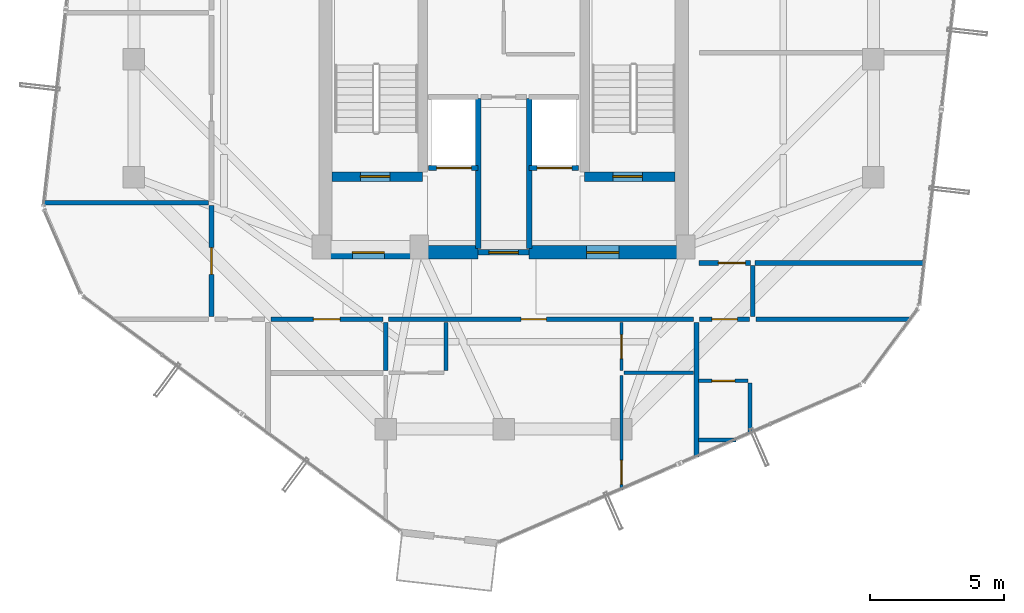
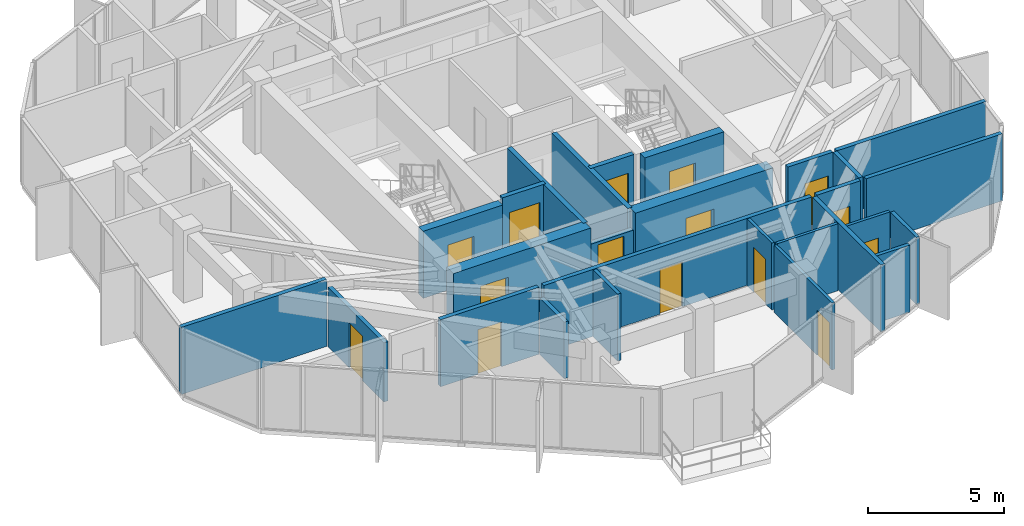
# One storey, part 26 of 30: 27 walls, 15 doors, 15 openings.
"""IFC4 building model written with IfcOpenShell, lengths in metres."""

from ifc_helpers import new_model, si_unit, direction, frame, frame_2d, origin, place, context, subcontext, project, spatial, rectangle, extrude, source, transform, mapped, material, layer, layer_set, type_object, element, fill, save


model = new_model("IFC4")

# Units and contexts
model_context = context("Model", 3, precision=1e-05, world=origin(), true_north=direction((0.0, 1.0)))
body_context = subcontext(model_context, "Body", "Model", "MODEL_VIEW")
ifc_project = project(units=[si_unit("LENGTHUNIT", "METRE"), si_unit("AREAUNIT", "SQUARE_METRE"), si_unit("VOLUMEUNIT", "CUBIC_METRE"), si_unit("PLANEANGLEUNIT", "RADIAN"), si_unit("MASSUNIT", "GRAM", prefix="KILO")], contexts=[model_context])

# Site, building, storey
site_placement = place(None, origin())
site = spatial("IfcSite", under=ifc_project, at=site_placement, CompositionType="ELEMENT")
building_placement = place(site_placement, origin())
building = spatial("IfcBuilding", under=site, at=building_placement, Name="Veraguas Prism Commons", CompositionType="ELEMENT")
storey_placement = place(building_placement, frame((0.0, 0.0, 230.050048828125)))
storey = spatial("IfcBuildingStorey", under=building, at=storey_placement, Name="L65", CompositionType="ELEMENT", Elevation=230.050048828125)

# Wall, opening, door
ifc_material_1 = material(Name="Concrete C50/60", Category="concrete")
ifc_layer_1 = layer(ifc_material_1, 0.35009765625, Name="Core Internal Shear Wall Upper RC 350", Category="concrete")
ifc_layer_set_1 = layer_set([ifc_layer_1], Name="Concrete C50/60")
wall_type_1 = type_object("IfcWallType", Name="Core Internal Shear Wall Upper RC 350", PredefinedType="SHEAR", material=ifc_layer_set_1)
wall_1_placement = place(storey_placement, frame((17.60009765625, 19.625, 0.0), z_axis=(0.0, 0.0, 1.0), x_axis=(1.0, 0.0, 0.0)))
wall_1 = element("IfcWall", 1, at=wall_1_placement, inside=storey, type_object=wall_type_1, Name="Stair ST-01 South Shear Wall L65", PredefinedType="SHEAR", context=body_context, shape_type="SweptSolid", body=[
    extrude(rectangle(XDim=3.375, YDim=0.35009765625, at=frame_2d((1.6875, 0.0))), origin(), (0.0, 0.0, 1.0), 3.014892578125),
])
opening_1_placement = place(wall_1_placement, frame((1.050048828125, 0.0, 0.0)))
opening_1 = element("IfcOpeningElement", 2, at=opening_1_placement, cuts=wall_1, Name="Opening DR-05", PredefinedType="OPENING", context=body_context, shape_type="SweptSolid", body=[
    extrude(rectangle(XDim=1.10009765625, YDim=2.030029296875, at=frame_2d((0.550048828125, 1.01513671875))), frame((0.0, 0.18505859375, 0.0), z_axis=(0.0, -1.0, 0.0), x_axis=(1.0, 0.0, 0.0)), (0.0, 0.0, 1.0), 0.3701171875),
])
ifc_material_2 = material(Name="Steel fire-rated door assembly", Category="steel")
door_type_1 = type_object("IfcDoorType", Name="Protected Stair and Refuge Fire Door 1100x2030", OperationType="NOTDEFINED", PredefinedType="DOOR", material=ifc_material_2)
shared_shape_1 = source(origin(), body_context, "Body", "SweptSolid", [
    extrude(rectangle(XDim=1.10009765625, YDim=2.030029296875, at=frame_2d((0.550048828125, 1.01513671875))), frame((0.0, 0.02490234375, 0.0), z_axis=(0.0, -1.0, 0.0), x_axis=(1.0, 0.0, 0.0)), (0.0, 0.0, 1.0), 0.050048828125),
])
door_1_placement = place(opening_1_placement, origin())
door_1 = element("IfcDoor", 3, at=door_1_placement, inside=storey, type_object=door_type_1, Name="Stair ST-01 Enclosure Door L65", OperationType="SINGLE_SWING_LEFT", OverallHeight=2.030029296875, OverallWidth=1.10009765625, PredefinedType="DOOR", context=body_context, shape_type="MappedRepresentation", body=[
    mapped(shared_shape_1, transform((0.0, 0.0, 0.0), scale=1.0)),
])
fill(opening_1, door_1)

wall_2_placement = place(storey_placement, frame((27.02490234375, 19.625, 0.0), z_axis=(0.0, 0.0, 1.0), x_axis=(1.0, 0.0, 0.0)))
wall_2 = element("IfcWall", 4, at=wall_2_placement, inside=storey, type_object=wall_type_1, Name="Stair ST-02 South Shear Wall L65", PredefinedType="SHEAR", context=body_context, shape_type="SweptSolid", body=[
    extrude(rectangle(XDim=3.375, YDim=0.35009765625, at=frame_2d((1.6875, 0.0))), origin(), (0.0, 0.0, 1.0), 3.014892578125),
])
opening_2_placement = place(wall_2_placement, frame((1.050048828125, 0.0, 0.0)))
opening_2 = element("IfcOpeningElement", 5, at=opening_2_placement, cuts=wall_2, Name="Opening DR-05", PredefinedType="OPENING", context=body_context, shape_type="SweptSolid", body=[
    extrude(rectangle(XDim=1.10009765625, YDim=2.030029296875, at=frame_2d((0.550048828125, 1.01513671875))), frame((0.0, 0.18505859375, 0.0), z_axis=(0.0, -1.0, 0.0), x_axis=(1.0, 0.0, 0.0)), (0.0, 0.0, 1.0), 0.3701171875),
])
door_2_placement = place(opening_2_placement, origin())
door_2 = element("IfcDoor", 6, at=door_2_placement, inside=storey, type_object=door_type_1, Name="Stair ST-02 Enclosure Door L65", OperationType="SINGLE_SWING_RIGHT", OverallHeight=2.030029296875, OverallWidth=1.10009765625, PredefinedType="DOOR", context=body_context, shape_type="MappedRepresentation", body=[
    mapped(shared_shape_1, transform((0.0, 0.0, 0.0), scale=1.0)),
])
fill(opening_2, door_2)

ifc_layer_2 = layer(ifc_material_1, 0.5, Name="Core Outer Shear Wall Upper RC 500", Category="concrete")
ifc_layer_set_2 = layer_set([ifc_layer_2], Name="Concrete C50/60")
wall_type_2 = type_object("IfcWallType", Name="Core Outer Shear Wall Upper RC 500", PredefinedType="SHEAR", material=ifc_layer_set_2)
wall_3_placement = place(storey_placement, frame((17.199951171875, 16.800048828125, 0.0), z_axis=(0.0, 0.0, 1.0), x_axis=(1.0, 0.0, 0.0)))
wall_3 = element("IfcWall", 7, at=wall_3_placement, inside=storey, type_object=wall_type_2, Name="Central Core South-West Shear Wall L65", PredefinedType="SHEAR", context=body_context, shape_type="SweptSolid", body=[
    extrude(rectangle(XDim=5.85009765625, YDim=0.5, at=frame_2d((2.925048828125, 0.0))), origin(), (0.0, 0.0, 1.0), 3.014892578125),
])
opening_3_placement = place(wall_3_placement, frame((1.14990234375, 0.0, 0.0)))
opening_3 = element("IfcOpeningElement", 8, at=opening_3_placement, cuts=wall_3, Name="Opening DR-06", PredefinedType="OPENING", context=body_context, shape_type="SweptSolid", body=[
    extrude(rectangle(XDim=1.199951171875, YDim=2.030029296875, at=frame_2d((0.60009765625, 1.01513671875))), frame((0.0, 0.260009765625, 0.0), z_axis=(0.0, -1.0, 0.0), x_axis=(1.0, 0.0, 0.0)), (0.0, 0.0, 1.0), 0.52001953125),
])
door_type_2 = type_object("IfcDoorType", Name="Firefighting Lobby Smoke Door 1200x2030", OperationType="NOTDEFINED", PredefinedType="DOOR", material=ifc_material_2)
shared_shape_2 = source(origin(), body_context, "Body", "SweptSolid", [
    extrude(rectangle(XDim=1.199951171875, YDim=2.030029296875, at=frame_2d((0.60009765625, 1.01513671875))), frame((0.0, 0.02490234375, 0.0), z_axis=(0.0, -1.0, 0.0), x_axis=(1.0, 0.0, 0.0)), (0.0, 0.0, 1.0), 0.050048828125),
])
door_3_placement = place(opening_3_placement, origin())
door_3 = element("IfcDoor", 9, at=door_3_placement, inside=storey, type_object=door_type_2, Name="West FF Lobby Door L65", OperationType="SINGLE_SWING_LEFT", OverallHeight=2.030029296875, OverallWidth=1.199951171875, PredefinedType="DOOR", context=body_context, shape_type="MappedRepresentation", body=[
    mapped(shared_shape_2, transform((0.0, 0.0, 0.0), scale=1.0)),
])
fill(opening_3, door_3)

wall_4_placement = place(storey_placement, frame((24.949951171875, 16.800048828125, 0.0), z_axis=(0.0, 0.0, 1.0), x_axis=(1.0, 0.0, 0.0)))
wall_4 = element("IfcWall", 10, at=wall_4_placement, inside=storey, type_object=wall_type_2, Name="Central Core South-East Shear Wall L65", PredefinedType="SHEAR", context=body_context, shape_type="SweptSolid", body=[
    extrude(rectangle(XDim=5.85009765625, YDim=0.5, at=frame_2d((2.925048828125, 0.0))), origin(), (0.0, 0.0, 1.0), 3.014892578125),
])
opening_4_placement = place(wall_4_placement, frame((2.14990234375, 0.0, 0.0)))
opening_4 = element("IfcOpeningElement", 11, at=opening_4_placement, cuts=wall_4, Name="Opening DR-06", PredefinedType="OPENING", context=body_context, shape_type="SweptSolid", body=[
    extrude(rectangle(XDim=1.199951171875, YDim=2.030029296875, at=frame_2d((0.60009765625, 1.01513671875))), frame((0.0, 0.260009765625, 0.0), z_axis=(0.0, -1.0, 0.0), x_axis=(1.0, 0.0, 0.0)), (0.0, 0.0, 1.0), 0.52001953125),
])
door_4_placement = place(opening_4_placement, origin())
door_4 = element("IfcDoor", 12, at=door_4_placement, inside=storey, type_object=door_type_2, Name="East FF Lobby Door L65", OperationType="SINGLE_SWING_LEFT", OverallHeight=2.030029296875, OverallWidth=1.199951171875, PredefinedType="DOOR", context=body_context, shape_type="MappedRepresentation", body=[
    mapped(shared_shape_2, transform((0.0, 0.0, 0.0), scale=1.0)),
])
fill(opening_4, door_4)

# Wall
ifc_material_3 = material(Name="Autoclaved aerated masonry block 10 MPa", Category="masonry")
ifc_layer_3 = layer(ifc_material_3, 0.179931640625, Name="Corridor and Inter-Tenancy Partition 180", Category="masonry")
ifc_layer_set_3 = layer_set([ifc_layer_3], Name="Autoclaved aerated masonry block 10 MPa")
wall_type_3 = type_object("IfcWallType", Name="Corridor and Inter-Tenancy Partition 180", PredefinedType="PARTITIONING", material=ifc_layer_set_3)
wall_5_placement = place(storey_placement, frame((31.199951171875, 14.179931640625, 0.0), z_axis=(0.0, 0.0, 1.0), x_axis=(0.0, -1.0, 0.0)))
element("IfcWall", 13, at=wall_5_placement, inside=storey, type_object=wall_type_3, Name="WL-L65-PT002", PredefinedType="PARTITIONING", context=body_context, shape_type="SweptSolid", body=[
    extrude(rectangle(XDim=5.0244140625, YDim=0.179931640625, at=frame_2d((2.51220703125, 0.0))), origin(), (0.0, 0.0, 1.0), 3.014892578125),
])

# Wall, opening, door
wall_6_placement = place(storey_placement, frame((15.31005859375, 14.300048828125, 0.0), z_axis=(0.0, 0.0, 1.0), x_axis=(1.0, 0.0, 0.0)))
wall_6 = element("IfcWall", 14, at=wall_6_placement, inside=storey, type_object=wall_type_3, Name="WL-L65-PT003", PredefinedType="PARTITIONING", context=body_context, shape_type="SweptSolid", body=[
    extrude(rectangle(XDim=4.179931640625, YDim=0.179931640625, at=frame_2d((2.08984375, 0.0))), origin(), (0.0, 0.0, 1.0), 3.014892578125),
])
opening_5_placement = place(wall_6_placement, frame((1.590087890625, 0.0, 0.0)))
opening_5 = element("IfcOpeningElement", 15, at=opening_5_placement, cuts=wall_6, Name="Opening DR-13", PredefinedType="OPENING", context=body_context, shape_type="SweptSolid", body=[
    extrude(rectangle(XDim=1.0, YDim=2.010009765625, at=frame_2d((0.5, 1.0048828125))), frame((0.0, 0.099853515625, 0.0), z_axis=(0.0, -1.0, 0.0), x_axis=(1.0, 0.0, 0.0)), (0.0, 0.0, 1.0), 0.199951171875),
])
door_type_3 = type_object("IfcDoorType", Name="Core Accessible WC and Clinic Fire Door 1000x2010", OperationType="NOTDEFINED", PredefinedType="DOOR", material=ifc_material_2)
shared_shape_3 = source(origin(), body_context, "Body", "SweptSolid", [
    extrude(rectangle(XDim=1.0, YDim=2.010009765625, at=frame_2d((0.5, 1.0048828125))), frame((0.0, 0.02490234375, 0.0), z_axis=(0.0, -1.0, 0.0), x_axis=(1.0, 0.0, 0.0)), (0.0, 0.0, 1.0), 0.050048828125),
])
door_5_placement = place(opening_5_placement, origin())
door_5 = element("IfcDoor", 16, at=door_5_placement, inside=storey, type_object=door_type_3, Name="Residents Study Alcove 65A Door", OperationType="SINGLE_SWING_LEFT", OverallHeight=2.010009765625, OverallWidth=1.0, PredefinedType="DOOR", context=body_context, shape_type="MappedRepresentation", body=[
    mapped(shared_shape_3, transform((0.0, 0.0, 0.0), scale=1.0)),
])
fill(opening_5, door_5)

wall_7_placement = place(storey_placement, frame((19.7099609375, 14.300048828125, 0.0), z_axis=(0.0, 0.0, 1.0), x_axis=(1.0, 0.0, 0.0)))
wall_7 = element("IfcWall", 17, at=wall_7_placement, inside=storey, type_object=wall_type_3, Name="WL-L65-PT004", PredefinedType="PARTITIONING", context=body_context, shape_type="SweptSolid", body=[
    extrude(rectangle(XDim=11.380126953125, YDim=0.179931640625, at=frame_2d((5.68994140625, 0.0))), origin(), (0.0, 0.0, 1.0), 3.014892578125),
])
opening_6_placement = place(wall_7_placement, frame((4.93994140625, 0.0, 0.0)))
opening_6 = element("IfcOpeningElement", 18, at=opening_6_placement, cuts=wall_7, Name="Opening DR-01", PredefinedType="OPENING", context=body_context, shape_type="SweptSolid", body=[
    extrude(rectangle(XDim=0.949951171875, YDim=2.02001953125, at=frame_2d((0.47509765625, 1.010009765625))), frame((0.0, 0.099853515625, 0.0), z_axis=(0.0, -1.0, 0.0), x_axis=(1.0, 0.0, 0.0)), (0.0, 0.0, 1.0), 0.199951171875),
])
ifc_material_4 = material(Name="Anodised aluminium EN AW-6063 T6", Category="aluminium")
door_type_4 = type_object("IfcDoorType", Name="Apartment Entrance Fire Door 950x2020", OperationType="NOTDEFINED", PredefinedType="DOOR", material=ifc_material_4)
shared_shape_4 = source(origin(), body_context, "Body", "SweptSolid", [
    extrude(rectangle(XDim=0.949951171875, YDim=2.02001953125, at=frame_2d((0.47509765625, 1.010009765625))), frame((0.0, 0.02490234375, 0.0), z_axis=(0.0, -1.0, 0.0), x_axis=(1.0, 0.0, 0.0)), (0.0, 0.0, 1.0), 0.050048828125),
])
door_6_placement = place(opening_6_placement, origin())
door_6 = element("IfcDoor", 19, at=door_6_placement, inside=storey, type_object=door_type_4, Name="Flat 65A Entrance Door", OperationType="SINGLE_SWING_RIGHT", OverallHeight=2.02001953125, OverallWidth=0.949951171875, PredefinedType="DOOR", context=body_context, shape_type="MappedRepresentation", body=[
    mapped(shared_shape_4, transform((0.0, 0.0, 0.0), scale=1.0)),
])
fill(opening_6, door_6)

# Wall
wall_8_placement = place(storey_placement, frame((19.60009765625, 14.179931640625, 0.0), z_axis=(0.0, 0.0, 1.0), x_axis=(0.0, -1.0, 0.0)))
element("IfcWall", 20, at=wall_8_placement, inside=storey, type_object=wall_type_3, Name="WL-L65-PT006", PredefinedType="PARTITIONING", context=body_context, shape_type="SweptSolid", body=[
    extrude(rectangle(XDim=1.800048828125, YDim=0.179931640625, at=frame_2d((0.89990234375, 0.0))), origin(), (0.0, 0.0, 1.0), 2.54296875),
])

# Wall, opening, door
wall_9_placement = place(storey_placement, frame((13.10009765625, 14.409912109375, 0.0), z_axis=(0.0, 0.0, 1.0), x_axis=(0.0, 1.0, 0.0)))
wall_9 = element("IfcWall", 21, at=wall_9_placement, inside=storey, type_object=wall_type_3, Name="WL-L65-PT026", PredefinedType="PARTITIONING", context=body_context, shape_type="SweptSolid", body=[
    extrude(rectangle(XDim=4.129150390625, YDim=0.179931640625, at=frame_2d((2.064453125, 0.0))), origin(), (0.0, 0.0, 1.0), 2.661865234375),
])
opening_7_placement = place(wall_9_placement, frame((1.564453125, 0.0, 0.0)))
opening_7 = element("IfcOpeningElement", 22, at=opening_7_placement, cuts=wall_9, Name="Opening DR-13", PredefinedType="OPENING", context=body_context, shape_type="SweptSolid", body=[
    extrude(rectangle(XDim=1.0, YDim=2.010009765625, at=frame_2d((0.5, 1.0048828125))), frame((0.0, 0.099853515625, 0.0), z_axis=(0.0, -1.0, 0.0), x_axis=(1.0, 0.0, 0.0)), (0.0, 0.0, 1.0), 0.199951171875),
])
door_7_placement = place(opening_7_placement, origin())
door_7 = element("IfcDoor", 23, at=door_7_placement, inside=storey, type_object=door_type_3, Name="Residents Study Room Door", OperationType="SINGLE_SWING_RIGHT", OverallHeight=2.010009765625, OverallWidth=1.0, PredefinedType="DOOR", context=body_context, shape_type="MappedRepresentation", body=[
    mapped(shared_shape_3, transform((0.0, 0.0, 0.0), scale=1.0)),
])
fill(opening_7, door_7)

# Walls
wall_10_placement = place(storey_placement, frame((12.97998046875, 18.64892578125, 0.0), z_axis=(0.0, 0.0, 1.0), x_axis=(-1.0, 0.0, 0.0)))
element("IfcWall", 24, at=wall_10_placement, inside=storey, type_object=wall_type_3, Name="WL-L65-PT028", PredefinedType="PARTITIONING", context=body_context, shape_type="SweptSolid", body=[
    extrude(rectangle(XDim=6.17822265625, YDim=0.179931640625, at=frame_2d((3.089111328125, 0.0))), origin(), (0.0, 0.0, 1.0), 3.014892578125),
])
wall_11_placement = place(storey_placement, frame((33.300048828125, 14.39990234375, 0.0), z_axis=(0.0, 0.0, 1.0), x_axis=(0.0, 1.0, 0.0)))
element("IfcWall", 25, at=wall_11_placement, inside=storey, type_object=wall_type_3, Name="WL-L65-PT034", PredefinedType="PARTITIONING", context=body_context, shape_type="SweptSolid", body=[
    extrude(rectangle(XDim=1.900146484375, YDim=0.179931640625, at=frame_2d((0.9501953125, 0.0))), origin(), (0.0, 0.0, 1.0), 3.014892578125),
])

# Wall, opening, door
wall_12_placement = place(storey_placement, frame((31.300048828125, 16.39990234375, 0.0), z_axis=(0.0, 0.0, 1.0), x_axis=(1.0, 0.0, 0.0)))
wall_12 = element("IfcWall", 26, at=wall_12_placement, inside=storey, type_object=wall_type_3, Name="WL-L65-PT036", PredefinedType="PARTITIONING", context=body_context, shape_type="SweptSolid", body=[
    extrude(rectangle(XDim=1.919921875, YDim=0.179931640625, at=frame_2d((0.9599609375, 0.0))), origin(), (0.0, 0.0, 1.0), 3.014892578125),
])
opening_8_placement = place(wall_12_placement, frame((0.719970703125, 0.0, 0.0)))
opening_8 = element("IfcOpeningElement", 27, at=opening_8_placement, cuts=wall_12, Name="Opening DR-13", PredefinedType="OPENING", context=body_context, shape_type="SweptSolid", body=[
    extrude(rectangle(XDim=1.0, YDim=2.010009765625, at=frame_2d((0.5, 1.0048828125))), frame((0.0, 0.099853515625, 0.0), z_axis=(0.0, -1.0, 0.0), x_axis=(1.0, 0.0, 0.0)), (0.0, 0.0, 1.0), 0.199951171875),
])
door_8_placement = place(opening_8_placement, origin())
door_8 = element("IfcDoor", 28, at=door_8_placement, inside=storey, type_object=door_type_3, Name="Panorama Lounge Door L65", OperationType="SINGLE_SWING_RIGHT", OverallHeight=2.010009765625, OverallWidth=1.0, PredefinedType="DOOR", context=body_context, shape_type="MappedRepresentation", body=[
    mapped(shared_shape_3, transform((0.0, 0.0, 0.0), scale=1.0)),
])
fill(opening_8, door_8)

# Walls
wall_13_placement = place(storey_placement, frame((33.3798828125, 16.39990234375, 0.0), z_axis=(0.0, 0.0, 1.0), x_axis=(1.0, 0.0, 0.0)))
element("IfcWall", 29, at=wall_13_placement, inside=storey, type_object=wall_type_3, Name="WL-L65-PT037", PredefinedType="PARTITIONING", context=body_context, shape_type="SweptSolid", body=[
    extrude(rectangle(XDim=6.347412109375, YDim=0.179931640625, at=frame_2d((3.173828125, 0.0))), origin(), (0.0, 0.0, 1.0), 3.014892578125),
])
wall_14_placement = place(storey_placement, frame((33.419921875, 14.300048828125, 0.0), z_axis=(0.0, 0.0, 1.0), x_axis=(1.0, 0.0, 0.0)))
element("IfcWall", 30, at=wall_14_placement, inside=storey, type_object=wall_type_3, Name="WL-L65-PT041", PredefinedType="PARTITIONING", context=body_context, shape_type="SweptSolid", body=[
    extrude(rectangle(XDim=5.7958984375, YDim=0.179931640625, at=frame_2d((2.89794921875, 0.0))), origin(), (0.0, 0.0, 1.0), 3.014892578125),
])

# Wall, opening, door
wall_15_placement = place(storey_placement, frame((31.320068359375, 14.300048828125, 0.0), z_axis=(0.0, 0.0, 1.0), x_axis=(1.0, 0.0, 0.0)))
wall_15 = element("IfcWall", 31, at=wall_15_placement, inside=storey, type_object=wall_type_3, Name="WL-L65-PT042", PredefinedType="PARTITIONING", context=body_context, shape_type="SweptSolid", body=[
    extrude(rectangle(XDim=1.85986328125, YDim=0.179931640625, at=frame_2d((0.929931640625, 0.0))), origin(), (0.0, 0.0, 1.0), 3.014892578125),
])
opening_9_placement = place(wall_15_placement, frame((0.455078125, 0.0, 0.0)))
opening_9 = element("IfcOpeningElement", 32, at=opening_9_placement, cuts=wall_15, Name="Opening DR-01", PredefinedType="OPENING", context=body_context, shape_type="SweptSolid", body=[
    extrude(rectangle(XDim=0.949951171875, YDim=2.02001953125, at=frame_2d((0.47509765625, 1.010009765625))), frame((0.0, 0.099853515625, 0.0), z_axis=(0.0, -1.0, 0.0), x_axis=(1.0, 0.0, 0.0)), (0.0, 0.0, 1.0), 0.199951171875),
])
door_9_placement = place(opening_9_placement, origin())
door_9 = element("IfcDoor", 33, at=door_9_placement, inside=storey, type_object=door_type_4, Name="Studio 65D Entrance Door", OperationType="SINGLE_SWING_LEFT", OverallHeight=2.02001953125, OverallWidth=0.949951171875, PredefinedType="DOOR", context=body_context, shape_type="MappedRepresentation", body=[
    mapped(shared_shape_4, transform((0.0, 0.0, 0.0), scale=1.0)),
])
fill(opening_9, door_9)

ifc_material_5 = material(Name="Lightweight acoustic gypsum board")
ifc_layer_4 = layer(ifc_material_5, 0.125, Name="Internal Apartment Room Partition 125")
ifc_layer_set_4 = layer_set([ifc_layer_4], Name="Lightweight acoustic gypsum board")
wall_type_4 = type_object("IfcWallType", Name="Internal Apartment Room Partition 125", PredefinedType="PARTITIONING", material=ifc_layer_set_4)
wall_16_placement = place(storey_placement, frame((28.39990234375, 14.179931640625, 0.0), z_axis=(0.0, 0.0, 1.0), x_axis=(0.0, -1.0, 0.0)))
wall_16 = element("IfcWall", 34, at=wall_16_placement, inside=storey, type_object=wall_type_4, Name="WL-L65-PT010", PredefinedType="PARTITIONING", context=body_context, shape_type="SweptSolid", body=[
    extrude(rectangle(XDim=1.800048828125, YDim=0.125, at=frame_2d((0.89990234375, 0.0))), origin(), (0.0, 0.0, 1.0), 3.014892578125),
])
opening_10_placement = place(wall_16_placement, frame((0.449951171875, 0.0, 0.0)))
opening_10 = element("IfcOpeningElement", 35, at=opening_10_placement, cuts=wall_16, Name="Opening DR-02", PredefinedType="OPENING", context=body_context, shape_type="SweptSolid", body=[
    extrude(rectangle(XDim=0.89990234375, YDim=2.010009765625, at=frame_2d((0.449951171875, 1.0048828125))), frame((0.0, 0.072509765625, 0.0), z_axis=(0.0, -1.0, 0.0), x_axis=(1.0, 0.0, 0.0)), (0.0, 0.0, 1.0), 0.14501953125),
])
ifc_material_6 = material(Name="Timber solid core hardwood", Category="wood")
door_type_5 = type_object("IfcDoorType", Name="Internal Habitable Room Door 900x2010", OperationType="NOTDEFINED", PredefinedType="DOOR", material=ifc_material_6)
shared_shape_5 = source(origin(), body_context, "Body", "SweptSolid", [
    extrude(rectangle(XDim=0.89990234375, YDim=2.010009765625, at=frame_2d((0.449951171875, 1.0048828125))), frame((0.0, 0.02490234375, 0.0), z_axis=(0.0, -1.0, 0.0), x_axis=(1.0, 0.0, 0.0)), (0.0, 0.0, 1.0), 0.050048828125),
])
door_10_placement = place(opening_10_placement, origin())
door_10 = element("IfcDoor", 36, at=door_10_placement, inside=storey, type_object=door_type_5, Name="Flat 65A Kitchen Door", OperationType="SINGLE_SWING_LEFT", OverallHeight=2.010009765625, OverallWidth=0.89990234375, PredefinedType="DOOR", context=body_context, shape_type="MappedRepresentation", body=[
    mapped(shared_shape_5, transform((0.0, 0.0, 0.0), scale=1.0)),
])
fill(opening_10, door_10)

# Wall
wall_17_placement = place(storey_placement, frame((28.5, 12.300048828125, 0.0), z_axis=(0.0, 0.0, 1.0), x_axis=(1.0, 0.0, 0.0)))
element("IfcWall", 37, at=wall_17_placement, inside=storey, type_object=wall_type_4, Name="WL-L65-PT011", PredefinedType="PARTITIONING", context=body_context, shape_type="SweptSolid", body=[
    extrude(rectangle(XDim=2.580078125, YDim=0.125, at=frame_2d((1.2900390625, 0.0))), origin(), (0.0, 0.0, 1.0), 3.014892578125),
])

# Wall, opening, door
wall_18_placement = place(storey_placement, frame((28.39990234375, 12.199951171875, 0.0), z_axis=(0.0, 0.0, 1.0), x_axis=(0.0, -1.0, 0.0)))
wall_18 = element("IfcWall", 38, at=wall_18_placement, inside=storey, type_object=wall_type_4, Name="WL-L65-PT012", PredefinedType="PARTITIONING", context=body_context, shape_type="SweptSolid", body=[
    extrude(rectangle(XDim=4.262939453125, YDim=0.125, at=frame_2d((2.13134765625, 0.0))), origin(), (0.0, 0.0, 1.0), 3.014892578125),
])
opening_11_placement = place(wall_18_placement, frame((3.1630859375, 0.0, 0.0)))
opening_11 = element("IfcOpeningElement", 39, at=opening_11_placement, cuts=wall_18, Name="Opening DR-02", PredefinedType="OPENING", context=body_context, shape_type="SweptSolid", body=[
    extrude(rectangle(XDim=0.89990234375, YDim=2.010009765625, at=frame_2d((0.449951171875, 1.0048828125))), frame((0.0, 0.072509765625, 0.0), z_axis=(0.0, -1.0, 0.0), x_axis=(1.0, 0.0, 0.0)), (0.0, 0.0, 1.0), 0.14501953125),
])
door_11_placement = place(opening_11_placement, origin())
door_11 = element("IfcDoor", 40, at=door_11_placement, inside=storey, type_object=door_type_5, Name="Flat 65A Bedroom 1 Door", OperationType="SINGLE_SWING_RIGHT", OverallHeight=2.010009765625, OverallWidth=0.89990234375, PredefinedType="DOOR", context=body_context, shape_type="MappedRepresentation", body=[
    mapped(shared_shape_5, transform((0.0, 0.0, 0.0), scale=1.0)),
])
fill(opening_11, door_11)

wall_19_placement = place(storey_placement, frame((31.280029296875, 12.0, 0.0), z_axis=(0.0, 0.0, 1.0), x_axis=(1.0, 0.0, 0.0)))
wall_19 = element("IfcWall", 41, at=wall_19_placement, inside=storey, type_object=wall_type_4, Name="WL-L65-PT043", PredefinedType="PARTITIONING", context=body_context, shape_type="SweptSolid", body=[
    extrude(rectangle(XDim=1.840087890625, YDim=0.125, at=frame_2d((0.919921875, 0.0))), origin(), (0.0, 0.0, 1.0), 3.014892578125),
])
opening_12_placement = place(wall_19_placement, frame((0.489990234375, 0.0, 0.0)))
opening_12 = element("IfcOpeningElement", 42, at=opening_12_placement, cuts=wall_19, Name="Opening DR-03", PredefinedType="OPENING", context=body_context, shape_type="SweptSolid", body=[
    extrude(rectangle(XDim=0.860107421875, YDim=2.010009765625, at=frame_2d((0.43017578125, 1.0048828125))), frame((0.0, 0.072509765625, 0.0), z_axis=(0.0, -1.0, 0.0), x_axis=(1.0, 0.0, 0.0)), (0.0, 0.0, 1.0), 0.14501953125),
])
ifc_material_7 = material(Name="Timber moisture-resistant leaf", Category="wood")
door_type_6 = type_object("IfcDoorType", Name="Internal Bathroom Door 860x2010", OperationType="NOTDEFINED", PredefinedType="DOOR", material=ifc_material_7)
shared_shape_6 = source(origin(), body_context, "Body", "SweptSolid", [
    extrude(rectangle(XDim=0.860107421875, YDim=2.010009765625, at=frame_2d((0.43017578125, 1.0048828125))), frame((0.0, 0.02490234375, 0.0), z_axis=(0.0, -1.0, 0.0), x_axis=(1.0, 0.0, 0.0)), (0.0, 0.0, 1.0), 0.050048828125),
])
door_12_placement = place(opening_12_placement, origin())
door_12 = element("IfcDoor", 43, at=door_12_placement, inside=storey, type_object=door_type_6, Name="Studio 65D Bathroom Door", OperationType="SINGLE_SWING_RIGHT", OverallHeight=2.010009765625, OverallWidth=0.860107421875, PredefinedType="DOOR", context=body_context, shape_type="MappedRepresentation", body=[
    mapped(shared_shape_6, transform((0.0, 0.0, 0.0), scale=1.0)),
])
fill(opening_12, door_12)

ifc_layer_5 = layer(ifc_material_3, 0.199951171875, Name="Rated Shaft and Lobby Block Wall 200", Category="masonry")
ifc_layer_set_5 = layer_set([ifc_layer_5], Name="Autoclaved aerated masonry block 10 MPa")
wall_type_5 = type_object("IfcWallType", Name="Rated Shaft and Lobby Block Wall 200", PredefinedType="SOLIDWALL", material=ifc_layer_set_5)
wall_20_placement = place(storey_placement, frame((23.050048828125, 16.800048828125, 0.0), z_axis=(0.0, 0.0, 1.0), x_axis=(1.0, 0.0, 0.0)))
wall_20 = element("IfcWall", 44, at=wall_20_placement, inside=storey, type_object=wall_type_5, Name="Central Core Lobby Entrance Wall L65", PredefinedType="SOLIDWALL", context=body_context, shape_type="SweptSolid", body=[
    extrude(rectangle(XDim=1.89990234375, YDim=0.199951171875, at=frame_2d((0.949951171875, 0.0))), origin(), (0.0, 0.0, 1.0), 2.1650390625),
])
opening_13_placement = place(wall_20_placement, frame((0.39990234375, 0.0, 0.0)))
opening_13 = element("IfcOpeningElement", 45, at=opening_13_placement, cuts=wall_20, Name="Opening DR-05", PredefinedType="OPENING", context=body_context, shape_type="SweptSolid", body=[
    extrude(rectangle(XDim=1.10009765625, YDim=2.030029296875, at=frame_2d((0.550048828125, 1.01513671875))), frame((0.0, 0.10986328125, 0.0), z_axis=(0.0, -1.0, 0.0), x_axis=(1.0, 0.0, 0.0)), (0.0, 0.0, 1.0), 0.219970703125),
])
door_13_placement = place(opening_13_placement, origin())
door_13 = element("IfcDoor", 46, at=door_13_placement, inside=storey, type_object=door_type_1, Name="Central Lobby Door L65", OperationType="SINGLE_SWING_RIGHT", OverallHeight=2.030029296875, OverallWidth=1.10009765625, PredefinedType="DOOR", context=body_context, shape_type="MappedRepresentation", body=[
    mapped(shared_shape_1, transform((0.0, 0.0, 0.0), scale=1.0)),
])
fill(opening_13, door_13)

wall_21_placement = place(storey_placement, frame((21.199951171875, 19.949951171875, 0.0), z_axis=(0.0, 0.0, 1.0), x_axis=(1.0, 0.0, 0.0)))
wall_21 = element("IfcWall", 47, at=wall_21_placement, inside=storey, type_object=wall_type_5, Name="Firefighting Lift FFL-1 Front Wall L65", PredefinedType="SOLIDWALL", context=body_context, shape_type="SweptSolid", body=[
    extrude(rectangle(XDim=1.85009765625, YDim=0.199951171875, at=frame_2d((0.925048828125, 0.0))), origin(), (0.0, 0.0, 1.0), 3.014892578125),
])
opening_14_placement = place(wall_21_placement, frame((0.300048828125, 0.0, 0.0)))
opening_14 = element("IfcOpeningElement", 48, at=opening_14_placement, cuts=wall_21, Name="Opening LD-02", PredefinedType="OPENING", context=body_context, shape_type="SweptSolid", body=[
    extrude(rectangle(XDim=1.300048828125, YDim=2.25, at=frame_2d((0.64990234375, 1.125))), frame((0.0, 0.10986328125, 0.0), z_axis=(0.0, -1.0, 0.0), x_axis=(1.0, 0.0, 0.0)), (0.0, 0.0, 1.0), 0.219970703125),
])
ifc_material_8 = material(Name="Stainless steel AISI 316", Category="steel")
door_type_7 = type_object("IfcDoorType", Name="Firefighting Lift Sliding Landing Door 1300x2250", OperationType="NOTDEFINED", PredefinedType="DOOR", material=ifc_material_8)
shared_shape_7 = source(origin(), body_context, "Body", "SweptSolid", [
    extrude(rectangle(XDim=1.300048828125, YDim=2.25, at=frame_2d((0.64990234375, 1.125))), frame((0.0, 0.02490234375, 0.0), z_axis=(0.0, -1.0, 0.0), x_axis=(1.0, 0.0, 0.0)), (0.0, 0.0, 1.0), 0.050048828125),
])
door_14_placement = place(opening_14_placement, origin())
door_14 = element("IfcDoor", 49, at=door_14_placement, inside=storey, type_object=door_type_7, Name="Firefighting Lift FFL-1 Landing Door L65", OperationType="SLIDING_TO_LEFT", OverallHeight=2.25, OverallWidth=1.300048828125, PredefinedType="DOOR", context=body_context, shape_type="MappedRepresentation", body=[
    mapped(shared_shape_7, transform((0.0, 0.0, 0.0), scale=1.0)),
])
fill(opening_14, door_14)

wall_22_placement = place(storey_placement, frame((24.949951171875, 19.949951171875, 0.0), z_axis=(0.0, 0.0, 1.0), x_axis=(1.0, 0.0, 0.0)))
wall_22 = element("IfcWall", 50, at=wall_22_placement, inside=storey, type_object=wall_type_5, Name="Firefighting Lift FFL-2 Front Wall L65", PredefinedType="SOLIDWALL", context=body_context, shape_type="SweptSolid", body=[
    extrude(rectangle(XDim=1.85009765625, YDim=0.199951171875, at=frame_2d((0.925048828125, 0.0))), origin(), (0.0, 0.0, 1.0), 3.014892578125),
])
opening_15_placement = place(wall_22_placement, frame((0.300048828125, 0.0, 0.0)))
opening_15 = element("IfcOpeningElement", 51, at=opening_15_placement, cuts=wall_22, Name="Opening LD-02", PredefinedType="OPENING", context=body_context, shape_type="SweptSolid", body=[
    extrude(rectangle(XDim=1.300048828125, YDim=2.25, at=frame_2d((0.64990234375, 1.125))), frame((0.0, 0.10986328125, 0.0), z_axis=(0.0, -1.0, 0.0), x_axis=(1.0, 0.0, 0.0)), (0.0, 0.0, 1.0), 0.219970703125),
])
door_15_placement = place(opening_15_placement, origin())
door_15 = element("IfcDoor", 52, at=door_15_placement, inside=storey, type_object=door_type_7, Name="Firefighting Lift FFL-2 Front Wall L65", OperationType="SLIDING_TO_LEFT", OverallHeight=2.25, OverallWidth=1.300048828125, PredefinedType="DOOR", context=body_context, shape_type="MappedRepresentation", body=[
    mapped(shared_shape_7, transform((0.0, 0.0, 0.0), scale=1.0)),
])
fill(opening_15, door_15)

# Walls
for number, where, z_axis, x_axis, name in (
    (53, (23.050048828125, 16.949951171875, 0.0), (0.0, 0.0, 1.0), (0.0, 1.0, 0.0), "West FF Lobby Divider Wall L65"),
    (54, (24.949951171875, 16.949951171875, 0.0), (0.0, 0.0, 1.0), (0.0, 1.0, 0.0), "East FF Lobby Divider Wall L65"),
):
    element("IfcWall", number, at=place(storey_placement, frame(where, z_axis=z_axis, x_axis=x_axis)), inside=storey, type_object=wall_type_5, Name=name, PredefinedType="SOLIDWALL", context=body_context, shape_type="SweptSolid", body=[
        extrude(rectangle(XDim=5.60009765625, YDim=0.199951171875, at=frame_2d((2.800048828125, 0.0))), origin(), (0.0, 0.0, 1.0), 3.014892578125),
    ])
ifc_layer_6 = layer(ifc_material_5, 0.14990234375, Name="Wet Room and Clinic Acoustic Partition 150")
ifc_layer_set_6 = layer_set([ifc_layer_6], Name="Lightweight acoustic gypsum board")
wall_type_6 = type_object("IfcWallType", Name="Wet Room and Clinic Acoustic Partition 150", PredefinedType="PARTITIONING", material=ifc_layer_set_6)
wall_23_placement = place(storey_placement, frame((21.85009765625, 14.179931640625, 0.0), z_axis=(0.0, 0.0, 1.0), x_axis=(0.0, -1.0, 0.0)))
element("IfcWall", 55, at=wall_23_placement, inside=storey, type_object=wall_type_6, Name="WL-L65-PT008", PredefinedType="PARTITIONING", context=body_context, shape_type="SweptSolid", body=[
    extrude(rectangle(XDim=1.800048828125, YDim=0.14990234375, at=frame_2d((0.89990234375, 0.0))), origin(), (0.0, 0.0, 1.0), 3.014892578125),
])
wall_24_placement = place(storey_placement, frame((31.280029296875, 9.800048828125, 0.0), z_axis=(0.0, 0.0, 1.0), x_axis=(1.0, 0.0, 0.0)))
element("IfcWall", 56, at=wall_24_placement, inside=storey, type_object=wall_type_6, Name="WL-L65-PT044", PredefinedType="PARTITIONING", context=body_context, shape_type="SweptSolid", body=[
    extrude(rectangle(XDim=1.400634765625, YDim=0.14990234375, at=frame_2d((0.7001953125, 0.0))), origin(), (0.0, 0.0, 1.0), 3.014892578125),
])
wall_25_placement = place(storey_placement, frame((33.199951171875, 10.02587890625, 0.0), z_axis=(0.0, 0.0, 1.0), x_axis=(0.0, 1.0, 0.0)))
element("IfcWall", 57, at=wall_25_placement, inside=storey, type_object=wall_type_6, Name="WL-L65-PT045", PredefinedType="PARTITIONING", context=body_context, shape_type="SweptSolid", body=[
    extrude(rectangle(XDim=1.89404296875, YDim=0.14990234375, at=frame_2d((0.947021484375, 0.0))), origin(), (0.0, 0.0, 1.0), 3.014892578125),
])

save(model, "model.ifc")
